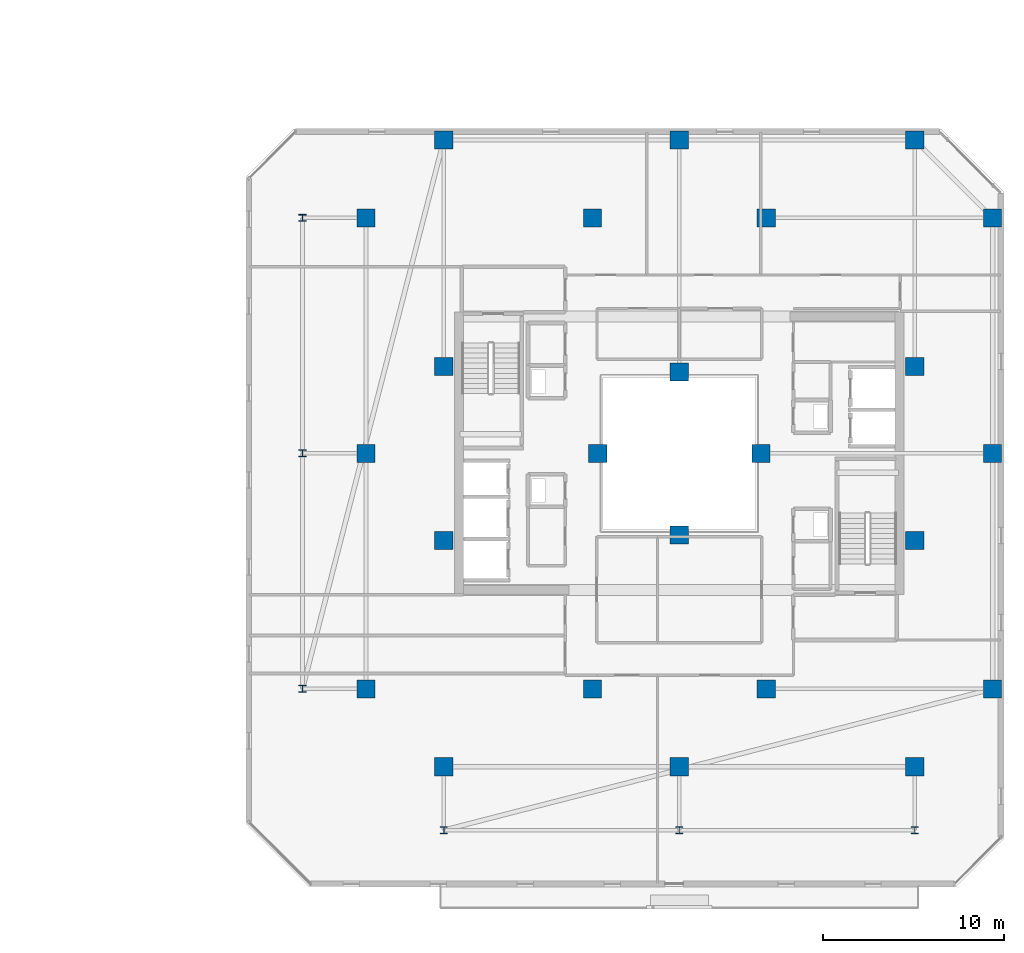
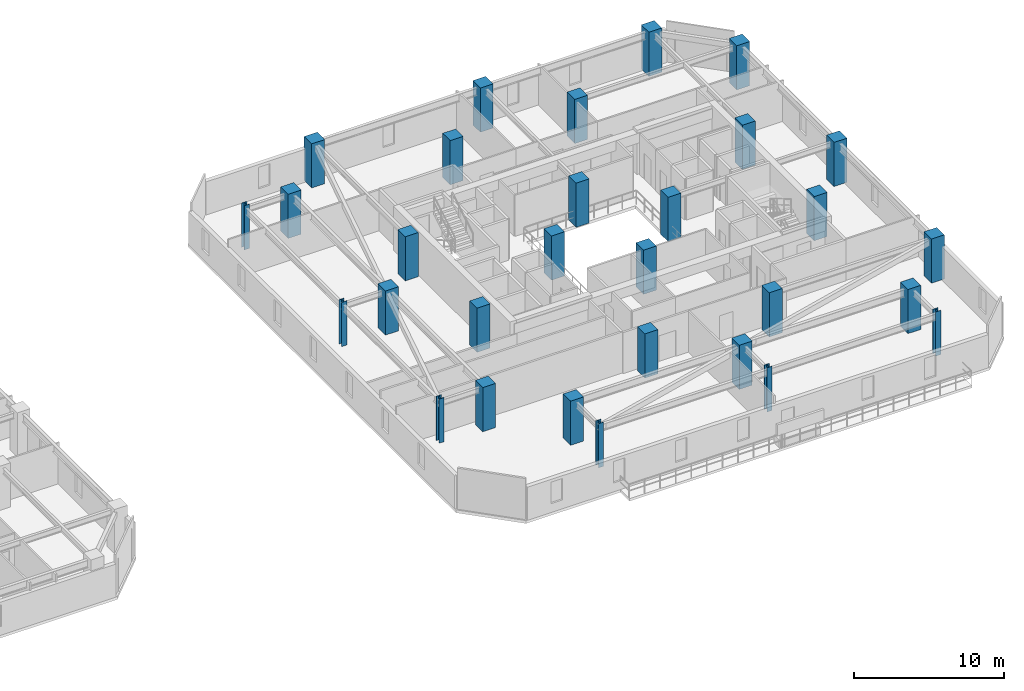
# One storey, part 2 of 33: 30 columns.
"""IFC4 building model written with IfcOpenShell, lengths in metres."""

from ifc_helpers import new_model, si_unit, direction, frame, origin, origin_2d, place, context, subcontext, project, spatial, rectangle, i_section, extrude, material, material_profile, profile_set, type_object, element, save


model = new_model("IFC4")

# Units and contexts
model_context = context("Model", 3, precision=1e-05, world=origin(), true_north=direction((0.0, 1.0)))
body_context = subcontext(model_context, "Body", "Model", "MODEL_VIEW")
ifc_project = project(units=[si_unit("LENGTHUNIT", "METRE"), si_unit("AREAUNIT", "SQUARE_METRE"), si_unit("VOLUMEUNIT", "CUBIC_METRE"), si_unit("PLANEANGLEUNIT", "RADIAN"), si_unit("MASSUNIT", "GRAM", prefix="KILO")], contexts=[model_context])

# Site, building, storey
site_placement = place(None, origin())
site = spatial("IfcSite", under=ifc_project, at=site_placement, CompositionType="ELEMENT")
building_placement = place(site_placement, origin())
building = spatial("IfcBuilding", under=site, at=building_placement, Name="Thornwick Lancets Civic Towers", CompositionType="ELEMENT")
storey_placement = place(building_placement, frame((0.0, 0.0, 210.89990234375)))
storey = spatial("IfcBuildingStorey", under=building, at=storey_placement, Name="L56", CompositionType="ELEMENT", Elevation=210.89990234375)

# Columns
ifc_material_1 = material(Name="Concrete C50/60", Category="concrete")
ifc_material_profile_1 = material_profile(ifc_material_1, rectangle(XDim=1.0, YDim=1.0, at=origin_2d()), Name="RC 1000x1000")
ifc_profile_set_1 = profile_set([ifc_material_profile_1], Name="Concrete C50/60")
column_type_1 = type_object("IfcColumnType", Name="COL_RC_1000", PredefinedType="COLUMN", material=ifc_profile_set_1)
for number, where, z_axis, x_axis, name in (
    (1, (105.800048828125, 14.0, 0.0), (0.0, 0.0, 1.0), (1.0, 0.0, 0.0), "L56 Spine Mega-Column B01"),
    (2, (105.800048828125, 27.0, 0.0), (0.0, 0.0, 1.0), (1.0, 0.0, 0.0), "L56 Spine Mega-Column B02"),
    (3, (105.800048828125, 40.0, 0.0), (0.0, 0.0, 1.0), (1.0, 0.0, 0.0), "L56 Spine Mega-Column B03"),
    (4, (101.5, 44.300048828125, 0.0), (0.0, 0.0, 1.0), (1.0, 0.0, 0.0), "L56 Spine Mega-Column B04"),
    (5, (88.5, 44.300048828125, 0.0), (0.0, 0.0, 1.0), (1.0, 0.0, 0.0), "L56 Spine Mega-Column B05"),
    (6, (75.5, 44.300048828125, 0.0), (0.0, 0.0, 1.0), (1.0, 0.0, 0.0), "L56 Spine Mega-Column B06"),
    (7, (71.199951171875, 14.0, 0.0), (0.0, 0.0, 1.0), (1.0, 0.0, 0.0), "L56 Spine Mega-Column B07"),
    (8, (71.199951171875, 27.0, 0.0), (0.0, 0.0, 1.0), (1.0, 0.0, 0.0), "L56 Spine Mega-Column B08"),
    (9, (71.199951171875, 40.0, 0.0), (0.0, 0.0, 1.0), (1.0, 0.0, 0.0), "L56 Spine Mega-Column B09"),
    (10, (101.5, 9.699951171875, 0.0), (0.0, 0.0, 1.0), (1.0, 0.0, 0.0), "L56 Spine Mega-Column B10"),
    (11, (88.5, 9.699951171875, 0.0), (0.0, 0.0, 1.0), (1.0, 0.0, 0.0), "L56 Spine Mega-Column B11"),
    (12, (75.5, 9.699951171875, 0.0), (0.0, 0.0, 1.0), (1.0, 0.0, 0.0), "L56 Spine Mega-Column B12"),
    (13, (93.300048828125, 14.0, 0.0), (0.0, 0.0, 1.0), (1.0, 0.0, 0.0), "L56 Spine Mega-Column B13"),
    (14, (93.300048828125, 40.0, 0.0), (0.0, 0.0, 1.0), (1.0, 0.0, 0.0), "L56 Spine Mega-Column B14"),
    (15, (83.699951171875, 14.0, 0.0), (0.0, 0.0, 1.0), (1.0, 0.0, 0.0), "L56 Spine Mega-Column B15"),
    (16, (83.699951171875, 40.0, 0.0), (0.0, 0.0, 1.0), (1.0, 0.0, 0.0), "L56 Spine Mega-Column B16"),
    (17, (101.5, 22.199951171875, 0.0), (0.0, 0.0, 1.0), (1.0, 0.0, 0.0), "L56 Spine Mega-Column B17"),
    (18, (101.5, 31.800048828125, 0.0), (0.0, 0.0, 1.0), (1.0, 0.0, 0.0), "L56 Spine Mega-Column B18"),
    (19, (75.5, 22.199951171875, 0.0), (0.0, 0.0, 1.0), (1.0, 0.0, 0.0), "L56 Spine Mega-Column B19"),
    (20, (75.5, 31.800048828125, 0.0), (0.0, 0.0, 1.0), (1.0, 0.0, 0.0), "L56 Spine Mega-Column B20"),
    (21, (93.0, 27.0, 0.0), (0.0, 0.0, 1.0), (1.0, 0.0, 0.0), "L56 Spine Mega-Column B21"),
    (22, (84.0, 27.0, 0.0), (0.0, 0.0, 1.0), (1.0, 0.0, 0.0), "L56 Spine Mega-Column B22"),
    (23, (88.5, 22.5, 0.0), (0.0, 0.0, 1.0), (1.0, 0.0, 0.0), "L56 Spine Mega-Column B23"),
    (24, (88.5, 31.5, 0.0), (0.0, 0.0, 1.0), (1.0, 0.0, 0.0), "L56 Spine Mega-Column B24"),
):
    element("IfcColumn", number, at=place(storey_placement, frame(where, z_axis=z_axis, x_axis=x_axis)), inside=storey, type_object=column_type_1, Name=name, PredefinedType="COLUMN", context=body_context, shape_type="SweptSolid", body=[
        extrude(rectangle(XDim=1.0, YDim=1.0, at=origin_2d()), origin(), (0.0, 0.0, 1.0), 3.60009765625),
    ])
ifc_material_2 = material(Name="Steel S355JR", Category="steel")
ifc_material_profile_2 = material_profile(ifc_material_2, i_section(OverallWidth=0.39892578125, OverallDepth=0.3935546875, WebThickness=0.022705078125, FlangeThickness=0.03662109375, FilletRadius=0.01513671875, at=origin_2d()), Name="UKC 356x406x287")
ifc_profile_set_2 = profile_set([ifc_material_profile_2], Name="Steel S355JR")
column_type_2 = type_object("IfcColumnType", Name="COL_UKC_287", PredefinedType="COLUMN", material=ifc_profile_set_2)
for number, where, z_axis, x_axis, name in (
    (25, (67.699951171875, 14.0, 0.0), (0.0, 0.0, 1.0), (1.0, 0.0, 0.0), "L56 Block Perimeter Column B07"),
    (26, (67.699951171875, 27.0, 0.0), (0.0, 0.0, 1.0), (1.0, 0.0, 0.0), "L56 Block Perimeter Column B08"),
    (27, (67.699951171875, 40.0, 0.0), (0.0, 0.0, 1.0), (1.0, 0.0, 0.0), "L56 Block Perimeter Column B09"),
    (28, (101.5, 6.199951171875, 0.0), (0.0, 0.0, 1.0), (1.0, 0.0, 0.0), "L56 Block Perimeter Column B10"),
    (29, (88.5, 6.199951171875, 0.0), (0.0, 0.0, 1.0), (1.0, 0.0, 0.0), "L56 Block Perimeter Column B11"),
    (30, (75.5, 6.199951171875, 0.0), (0.0, 0.0, 1.0), (1.0, 0.0, 0.0), "L56 Block Perimeter Column B12"),
):
    element("IfcColumn", number, at=place(storey_placement, frame(where, z_axis=z_axis, x_axis=x_axis)), inside=storey, type_object=column_type_2, Name=name, PredefinedType="COLUMN", context=body_context, shape_type="SweptSolid", body=[
        extrude(i_section(OverallWidth=0.39892578125, OverallDepth=0.3935546875, WebThickness=0.022705078125, FlangeThickness=0.03662109375, FilletRadius=0.01513671875, at=origin_2d()), origin(), (0.0, 0.0, 1.0), 3.60009765625),
    ])

save(model, "model.ifc")
